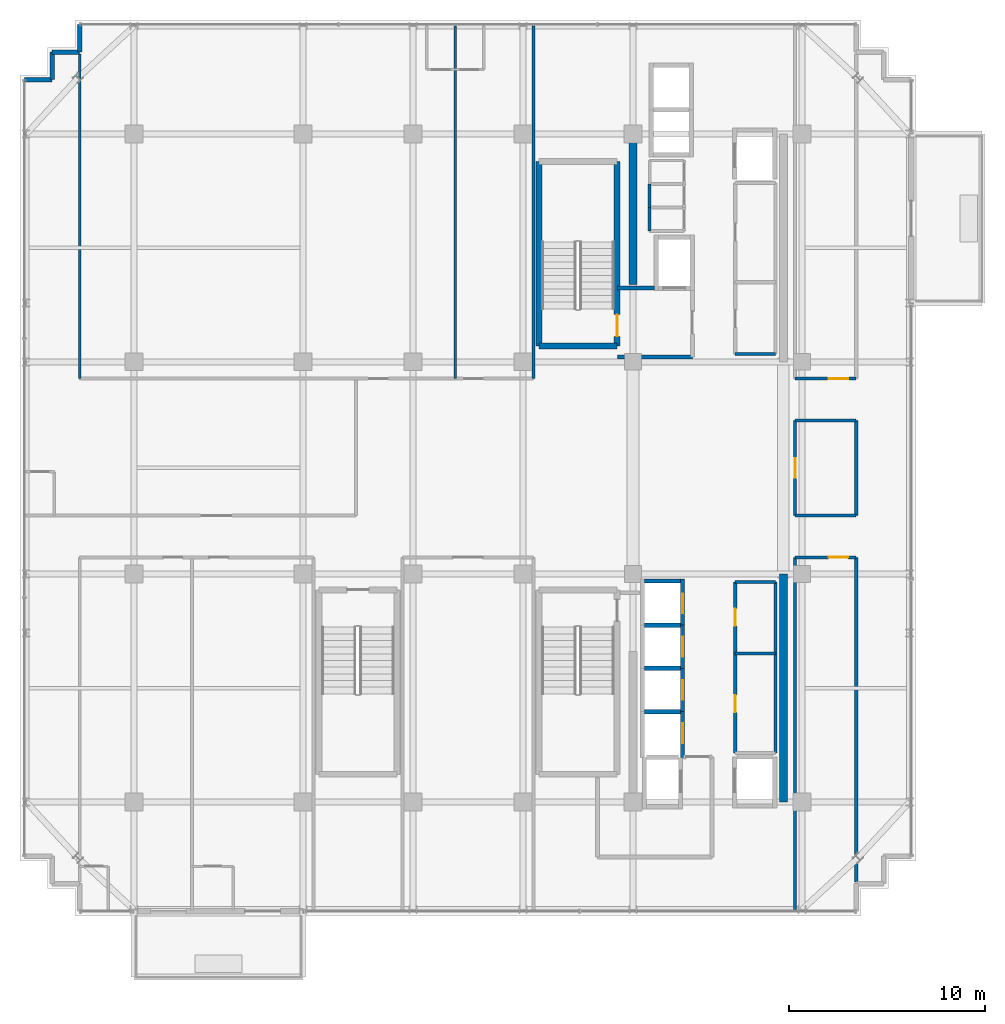
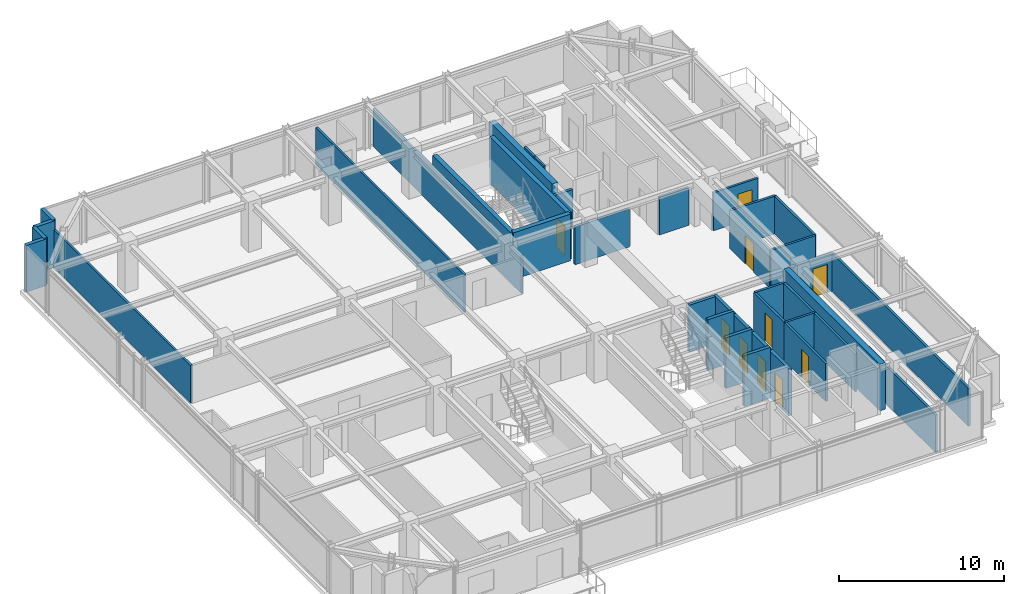
# One storey, part 28 of 33: 39 walls, 10 doors, 10 openings.
"""IFC4 building model written with IfcOpenShell, lengths in metres."""

from ifc_helpers import new_model, si_unit, direction, frame, frame_2d, origin, place, context, subcontext, project, spatial, rectangle, extrude, source, transform, mapped, material, layer, layer_set, type_object, element, fill, save


model = new_model("IFC4")

# Units and contexts
model_context = context("Model", 3, precision=1e-05, world=origin(), true_north=direction((0.0, 1.0)))
body_context = subcontext(model_context, "Body", "Model", "MODEL_VIEW")
ifc_project = project(units=[si_unit("LENGTHUNIT", "METRE"), si_unit("AREAUNIT", "SQUARE_METRE"), si_unit("VOLUMEUNIT", "CUBIC_METRE"), si_unit("PLANEANGLEUNIT", "RADIAN"), si_unit("MASSUNIT", "GRAM", prefix="KILO")], contexts=[model_context])

# Site, building, storey
site_placement = place(None, origin())
site = spatial("IfcSite", under=ifc_project, at=site_placement, CompositionType="ELEMENT")
building_placement = place(site_placement, origin())
building = spatial("IfcBuilding", under=site, at=building_placement, Name="Nahalor Promenade Grand Hotel", CompositionType="ELEMENT")
storey_placement = place(building_placement, frame((0.0, 0.0, 270.050048828125)))
storey = spatial("IfcBuildingStorey", under=building, at=storey_placement, Name="L69", CompositionType="ELEMENT", Elevation=270.050048828125)

# Walls
ifc_material_1 = material(Name="Concrete B-50 (C40/50)", Category="concrete")
ifc_layer_1 = layer(ifc_material_1, 0.39990234375)
ifc_layer_set_1 = layer_set([ifc_layer_1], Name="Concrete B-50 (C40/50)")
wall_type_1 = type_object("IfcWallType", Name="Wall-CoreShear-400", PredefinedType="SHEAR", material=ifc_layer_set_1)
shared_shape_1 = source(origin(), body_context, "Body", "SweptSolid", [
    extrude(rectangle(XDim=7.64990234375, YDim=0.39990234375, at=frame_2d((3.824951171875, 0.0))), origin(), (0.0, 0.0, 1.0), 3.449951171875),
])
wall_1_placement = place(storey_placement, frame((8.39990234375, 9.35009765625, 0.0), z_axis=(0.0, 0.0, 1.0), x_axis=(0.0, 1.0, 0.0)))
element("IfcWall", 1, at=wall_1_placement, inside=storey, type_object=wall_type_1, Name="CWALL-L69-NW", PredefinedType="SHEAR", context=body_context, shape_type="MappedRepresentation", body=[
    mapped(shared_shape_1, transform((0.0, 0.0, 0.0), scale=1.0)),
])
shared_shape_2 = source(origin(), body_context, "Body", "SweptSolid", [
    extrude(rectangle(XDim=11.60009765625, YDim=0.39990234375, at=frame_2d((5.800048828125, 0.0))), origin(), (0.0, 0.0, 1.0), 3.449951171875),
])
wall_2_placement = place(storey_placement, frame((16.050048828125, -17.0, 0.0), z_axis=(0.0, 0.0, 1.0), x_axis=(0.0, 1.0, 0.0)))
element("IfcWall", 2, at=wall_2_placement, inside=storey, type_object=wall_type_1, Name="CWALL-L69-SE", PredefinedType="SHEAR", context=body_context, shape_type="MappedRepresentation", body=[
    mapped(shared_shape_2, transform((0.0, 0.0, 0.0), scale=1.0)),
])
ifc_layer_2 = layer(ifc_material_1, 0.300048828125)
ifc_layer_set_2 = layer_set([ifc_layer_2], Name="Concrete B-50 (C40/50)")
wall_type_2 = type_object("IfcWallType", Name="Wall-ShaftShear-300", PredefinedType="SHEAR", material=ifc_layer_set_2)
shared_shape_3 = source(origin(), body_context, "Body", "SweptSolid", [
    extrude(rectangle(XDim=3.97998046875, YDim=0.300048828125, at=frame_2d((1.989990234375, 0.0))), origin(), (0.0, 0.0, 1.0), 3.449951171875),
])
wall_3_placement = place(storey_placement, frame((3.610107421875, 6.2099609375, 0.0), z_axis=(0.0, 0.0, 1.0), x_axis=(1.0, 0.0, 0.0)))
element("IfcWall", 3, at=wall_3_placement, inside=storey, type_object=wall_type_2, Name="L69 Exit Stair ST1 Shaft Wall S", PredefinedType="SHEAR", context=body_context, shape_type="MappedRepresentation", body=[
    mapped(shared_shape_3, transform((0.0, 0.0, 0.0), scale=1.0)),
])
shared_shape_4 = source(origin(), body_context, "Body", "SweptSolid", [
    extrude(rectangle(XDim=9.380126953125, YDim=0.300048828125, at=frame_2d((4.68994140625, 0.0))), origin(), (0.0, 0.0, 1.0), 3.449951171875),
])
wall_4_placement = place(storey_placement, frame((3.610107421875, 6.2099609375, 0.0), z_axis=(0.0, 0.0, 1.0), x_axis=(0.0, 1.0, 0.0)))
element("IfcWall", 4, at=wall_4_placement, inside=storey, type_object=wall_type_2, Name="L69 Exit Stair ST1 Shaft Wall W", PredefinedType="SHEAR", context=body_context, shape_type="MappedRepresentation", body=[
    mapped(shared_shape_4, transform((0.0, 0.0, 0.0), scale=1.0)),
])

# Wall, opening, door
wall_5_placement = place(storey_placement, frame((7.590087890625, 6.2099609375, 0.0), z_axis=(0.0, 0.0, 1.0), x_axis=(0.0, 1.0, 0.0)))
wall_5 = element("IfcWall", 5, at=wall_5_placement, inside=storey, type_object=wall_type_2, Name="L69 Exit Stair ST1 Shaft Wall E", PredefinedType="SHEAR", context=body_context, shape_type="MappedRepresentation", body=[
    mapped(shared_shape_4, transform((0.0, 0.0, 0.0), scale=1.0)),
])
opening_1_placement = place(wall_5_placement, frame((0.489990234375, 0.0, 0.0)))
opening_1 = element("IfcOpeningElement", 6, at=opening_1_placement, cuts=wall_5, Name="Opening D-ST1", PredefinedType="OPENING", context=body_context, shape_type="SweptSolid", body=[
    extrude(rectangle(XDim=1.10009765625, YDim=2.14990234375, at=frame_2d((0.550048828125, 1.074951171875))), frame((0.0, 0.159912109375, 0.0), z_axis=(0.0, -1.0, 0.0), x_axis=(1.0, 0.0, 0.0)), (0.0, 0.0, 1.0), 0.320068359375),
])
ifc_material_2 = material(Name="Steel S355JR", Category="steel")
door_type_1 = type_object("IfcDoorType", Name="Door-StairFire-1100", OperationType="NOTDEFINED", PredefinedType="DOOR", material=ifc_material_2)
shared_shape_5 = source(origin(), body_context, "Body", "SweptSolid", [
    extrude(rectangle(XDim=1.10009765625, YDim=2.14990234375, at=frame_2d((0.550048828125, 1.074951171875))), frame((0.0, 0.02490234375, 0.0), z_axis=(0.0, -1.0, 0.0), x_axis=(1.0, 0.0, 0.0)), (0.0, 0.0, 1.0), 0.050048828125),
])
door_1_placement = place(opening_1_placement, origin())
door_1 = element("IfcDoor", 7, at=door_1_placement, inside=storey, type_object=door_type_1, Name="DR-STAIR-ST1-L69", OperationType="SINGLE_SWING_RIGHT", OverallHeight=2.14990234375, OverallWidth=1.10009765625, PredefinedType="DOOR", context=body_context, shape_type="MappedRepresentation", body=[
    mapped(shared_shape_5, transform((0.0, 0.0, 0.0), scale=1.0)),
])
fill(opening_1, door_1)

ifc_layer_3 = layer(ifc_material_1, 0.219970703125)
ifc_layer_set_3 = layer_set([ifc_layer_3], Name="Concrete B-50 (C40/50)")
wall_type_3 = type_object("IfcWallType", Name="Wall-LiftShaft-220", PredefinedType="SHEAR", material=ifc_layer_set_3)
shared_shape_6 = source(origin(), body_context, "Body", "SweptSolid", [
    extrude(rectangle(XDim=2.360107421875, YDim=0.219970703125, at=frame_2d((1.18017578125, 0.0))), origin(), (0.0, 0.0, 1.0), 3.449951171875),
])
wall_6_placement = place(storey_placement, frame((10.919921875, -8.0, 0.0), z_axis=(0.0, 0.0, 1.0), x_axis=(0.0, 1.0, 0.0)))
wall_6 = element("IfcWall", 8, at=wall_6_placement, inside=storey, type_object=wall_type_3, Name="L69 Lift PL9 Hoistway Wall E", PredefinedType="SHEAR", context=body_context, shape_type="MappedRepresentation", body=[
    mapped(shared_shape_6, transform((0.0, 0.0, 0.0), scale=1.0)),
])
opening_2_placement = place(wall_6_placement, frame((0.60009765625, 0.0, 0.0)))
opening_2 = element("IfcOpeningElement", 9, at=opening_2_placement, cuts=wall_6, Name="Opening LD-01", PredefinedType="OPENING", context=body_context, shape_type="SweptSolid", body=[
    extrude(rectangle(XDim=1.0, YDim=2.199951171875, at=frame_2d((0.5, 1.10009765625))), frame((0.0, 0.119873046875, 0.0), z_axis=(0.0, -1.0, 0.0), x_axis=(1.0, 0.0, 0.0)), (0.0, 0.0, 1.0), 0.239990234375),
])
door_type_2 = type_object("IfcDoorType", Name="Door-LiftLanding-1000", OperationType="DOUBLE_DOOR_SLIDING", PredefinedType="DOOR", material=ifc_material_2)
shared_shape_7 = source(origin(), body_context, "Body", "SweptSolid", [
    extrude(rectangle(XDim=1.0, YDim=2.199951171875, at=frame_2d((0.5, 1.10009765625))), frame((0.0, 0.02490234375, 0.0), z_axis=(0.0, -1.0, 0.0), x_axis=(1.0, 0.0, 0.0)), (0.0, 0.0, 1.0), 0.050048828125),
])
door_2_placement = place(opening_2_placement, frame((1.0, 0.0, 0.0), z_axis=(0.0, 0.0, 1.0), x_axis=(-1.0, 0.0, 0.0)))
door_2 = element("IfcDoor", 10, at=door_2_placement, inside=storey, type_object=door_type_2, Name="DR-LIFT-PL9-L69", OperationType="DOUBLE_DOOR_SLIDING", OverallHeight=2.199951171875, OverallWidth=1.0, PredefinedType="DOOR", context=body_context, shape_type="MappedRepresentation", body=[
    mapped(shared_shape_7, transform((0.0, 0.0, 0.0), scale=1.0)),
])
fill(opening_2, door_2)

# Wall
shared_shape_8 = source(origin(), body_context, "Body", "SweptSolid", [
    extrude(rectangle(XDim=1.820068359375, YDim=0.219970703125, at=frame_2d((0.91015625, 0.0))), origin(), (0.0, 0.0, 1.0), 3.449951171875),
])
wall_7_placement = place(storey_placement, frame((8.989990234375, -5.75, 0.0), z_axis=(0.0, 0.0, 1.0), x_axis=(1.0, 0.0, 0.0)))
element("IfcWall", 11, at=wall_7_placement, inside=storey, type_object=wall_type_3, Name="L69 Lift PL9 Hoistway Wall N", PredefinedType="SHEAR", context=body_context, shape_type="MappedRepresentation", body=[
    mapped(shared_shape_8, transform((0.0, 0.0, 0.0), scale=1.0)),
])

# Wall, opening, door
shared_shape_9 = source(origin(), body_context, "Body", "SweptSolid", [
    extrude(rectangle(XDim=2.199951171875, YDim=0.219970703125, at=frame_2d((1.10009765625, 0.0))), origin(), (0.0, 0.0, 1.0), 3.449951171875),
])
wall_8_placement = place(storey_placement, frame((10.919921875, -10.199951171875, 0.0), z_axis=(0.0, 0.0, 1.0), x_axis=(0.0, 1.0, 0.0)))
wall_8 = element("IfcWall", 12, at=wall_8_placement, inside=storey, type_object=wall_type_3, Name="L69 Lift PL10 Hoistway Wall E", PredefinedType="SHEAR", context=body_context, shape_type="MappedRepresentation", body=[
    mapped(shared_shape_9, transform((0.0, 0.0, 0.0), scale=1.0)),
])
opening_3_placement = place(wall_8_placement, frame((0.60009765625, 0.0, 0.0)))
opening_3 = element("IfcOpeningElement", 13, at=opening_3_placement, cuts=wall_8, Name="Opening LD-01", PredefinedType="OPENING", context=body_context, shape_type="SweptSolid", body=[
    extrude(rectangle(XDim=1.0, YDim=2.199951171875, at=frame_2d((0.5, 1.10009765625))), frame((0.0, 0.119873046875, 0.0), z_axis=(0.0, -1.0, 0.0), x_axis=(1.0, 0.0, 0.0)), (0.0, 0.0, 1.0), 0.239990234375),
])
door_3_placement = place(opening_3_placement, frame((1.0, 0.0, 0.0), z_axis=(0.0, 0.0, 1.0), x_axis=(-1.0, 0.0, 0.0)))
door_3 = element("IfcDoor", 14, at=door_3_placement, inside=storey, type_object=door_type_2, Name="DR-LIFT-PL10-L69", OperationType="DOUBLE_DOOR_SLIDING", OverallHeight=2.199951171875, OverallWidth=1.0, PredefinedType="DOOR", context=body_context, shape_type="MappedRepresentation", body=[
    mapped(shared_shape_7, transform((0.0, 0.0, 0.0), scale=1.0)),
])
fill(opening_3, door_3)

wall_9_placement = place(storey_placement, frame((10.919921875, -12.39990234375, 0.0), z_axis=(0.0, 0.0, 1.0), x_axis=(0.0, 1.0, 0.0)))
wall_9 = element("IfcWall", 15, at=wall_9_placement, inside=storey, type_object=wall_type_3, Name="L69 Lift PL11 Hoistway Wall E", PredefinedType="SHEAR", context=body_context, shape_type="MappedRepresentation", body=[
    mapped(shared_shape_9, transform((0.0, 0.0, 0.0), scale=1.0)),
])
opening_4_placement = place(wall_9_placement, frame((0.60009765625, 0.0, 0.0)))
opening_4 = element("IfcOpeningElement", 16, at=opening_4_placement, cuts=wall_9, Name="Opening LD-01", PredefinedType="OPENING", context=body_context, shape_type="SweptSolid", body=[
    extrude(rectangle(XDim=1.0, YDim=2.199951171875, at=frame_2d((0.5, 1.10009765625))), frame((0.0, 0.119873046875, 0.0), z_axis=(0.0, -1.0, 0.0), x_axis=(1.0, 0.0, 0.0)), (0.0, 0.0, 1.0), 0.239990234375),
])
door_4_placement = place(opening_4_placement, frame((1.0, 0.0, 0.0), z_axis=(0.0, 0.0, 1.0), x_axis=(-1.0, 0.0, 0.0)))
door_4 = element("IfcDoor", 17, at=door_4_placement, inside=storey, type_object=door_type_2, Name="DR-LIFT-PL11-L69", OperationType="DOUBLE_DOOR_SLIDING", OverallHeight=2.199951171875, OverallWidth=1.0, PredefinedType="DOOR", context=body_context, shape_type="MappedRepresentation", body=[
    mapped(shared_shape_7, transform((0.0, 0.0, 0.0), scale=1.0)),
])
fill(opening_4, door_4)

# Walls
shared_shape_10 = source(origin(), body_context, "Body", "SweptSolid", [
    extrude(rectangle(XDim=1.820068359375, YDim=0.219970703125, at=frame_2d((0.91015625, 0.0))), origin(), (0.0, 0.0, 1.0), 3.75),
])
for number, where, z_axis, x_axis, name in (
    (18, (8.989990234375, -8.0, 0.0), (0.0, 0.0, 1.0), (1.0, 0.0, 0.0), "L69 Lift PL10 Hoistway Wall N"),
    (19, (8.989990234375, -10.199951171875, 0.0), (0.0, 0.0, 1.0), (1.0, 0.0, 0.0), "L69 Lift PL11 Hoistway Wall N"),
    (20, (8.989990234375, -12.39990234375, 0.0), (0.0, 0.0, 1.0), (1.0, 0.0, 0.0), "L69 Lift PL12 Hoistway Wall N"),
):
    element("IfcWall", number, at=place(storey_placement, frame(where, z_axis=z_axis, x_axis=x_axis)), inside=storey, type_object=wall_type_3, Name=name, PredefinedType="SHEAR", context=body_context, shape_type="MappedRepresentation", body=[
        mapped(shared_shape_10, transform((0.0, 0.0, 0.0), scale=1.0)),
    ])

# Wall, opening, door
shared_shape_11 = source(origin(), body_context, "Body", "SweptSolid", [
    extrude(rectangle(XDim=2.3251953125, YDim=0.219970703125, at=frame_2d((1.16259765625, 0.0))), origin(), (0.0, 0.0, 1.0), 3.449951171875),
])
wall_10_placement = place(storey_placement, frame((10.919921875, -14.72509765625, 0.0), z_axis=(0.0, 0.0, 1.0), x_axis=(0.0, 1.0, 0.0)))
wall_10 = element("IfcWall", 21, at=wall_10_placement, inside=storey, type_object=wall_type_3, Name="L69 Lift PL12 Hoistway Wall E", PredefinedType="SHEAR", context=body_context, shape_type="MappedRepresentation", body=[
    mapped(shared_shape_11, transform((0.0, 0.0, 0.0), scale=1.0)),
])
opening_5_placement = place(wall_10_placement, frame((0.72509765625, 0.0, 0.0)))
opening_5 = element("IfcOpeningElement", 22, at=opening_5_placement, cuts=wall_10, Name="Opening LD-01", PredefinedType="OPENING", context=body_context, shape_type="SweptSolid", body=[
    extrude(rectangle(XDim=1.0, YDim=2.199951171875, at=frame_2d((0.5, 1.10009765625))), frame((0.0, 0.119873046875, 0.0), z_axis=(0.0, -1.0, 0.0), x_axis=(1.0, 0.0, 0.0)), (0.0, 0.0, 1.0), 0.239990234375),
])
door_5_placement = place(opening_5_placement, frame((1.0, 0.0, 0.0), z_axis=(0.0, 0.0, 1.0), x_axis=(-1.0, 0.0, 0.0)))
door_5 = element("IfcDoor", 23, at=door_5_placement, inside=storey, type_object=door_type_2, Name="DR-LIFT-PL12-L69", OperationType="DOUBLE_DOOR_SLIDING", OverallHeight=2.199951171875, OverallWidth=1.0, PredefinedType="DOOR", context=body_context, shape_type="MappedRepresentation", body=[
    mapped(shared_shape_7, transform((0.0, 0.0, 0.0), scale=1.0)),
])
fill(opening_5, door_5)

# Walls
ifc_material_3 = material(Name="Concrete B-40 (C32/40)", Category="concrete")
ifc_layer_4 = layer(ifc_material_3, 0.25)
ifc_layer_set_4 = layer_set([ifc_layer_4], Name="Concrete B-40 (C32/40)")
wall_type_4 = type_object("IfcWallType", Name="Wall-BronzePier-250", PredefinedType="STANDARD", material=ifc_layer_set_4)
shared_shape_12 = source(origin(), body_context, "Body", "SweptSolid", [
    extrude(rectangle(XDim=1.400146484375, YDim=0.25, at=frame_2d((0.7001953125, 0.0))), origin(), (0.0, 0.0, 1.0), 3.449951171875),
])
for number, where, z_axis, x_axis, name in (
    (24, (-19.760009765625, 21.159912109375, 0.0), (0.0, 0.0, 1.0), (0.0, 1.0, 0.0), "W-L69-SR-09"),
    (25, (-22.56005859375, 19.760009765625, 0.0), (0.0, 0.0, 1.0), (1.0, 0.0, 0.0), "W-L69-SR-12"),
):
    element("IfcWall", number, at=place(storey_placement, frame(where, z_axis=z_axis, x_axis=x_axis)), inside=storey, type_object=wall_type_4, Name=name, PredefinedType="STANDARD", context=body_context, shape_type="MappedRepresentation", body=[
        mapped(shared_shape_12, transform((0.0, 0.0, 0.0), scale=1.0)),
    ])
shared_shape_13 = source(origin(), body_context, "Body", "SweptSolid", [
    extrude(rectangle(XDim=1.39990234375, YDim=0.25, at=frame_2d((0.699951171875, 0.0))), origin(), (0.0, 0.0, 1.0), 3.449951171875),
])
for number, where, z_axis, x_axis, name in (
    (26, (-21.159912109375, 21.159912109375, 0.0), (0.0, 0.0, 1.0), (1.0, 0.0, 0.0), "W-L69-SR-10"),
    (27, (-21.159912109375, 19.760009765625, 0.0), (0.0, 0.0, 1.0), (0.0, 1.0, 0.0), "W-L69-SR-11"),
):
    element("IfcWall", number, at=place(storey_placement, frame(where, z_axis=z_axis, x_axis=x_axis)), inside=storey, type_object=wall_type_4, Name=name, PredefinedType="STANDARD", context=body_context, shape_type="MappedRepresentation", body=[
        mapped(shared_shape_13, transform((0.0, 0.0, 0.0), scale=1.0)),
    ])
ifc_layer_5 = layer(ifc_material_3, 0.199951171875)
ifc_layer_set_5 = layer_set([ifc_layer_5], Name="Concrete B-40 (C32/40)")
wall_type_5 = type_object("IfcWallType", Name="Wall-PartFire-200", PredefinedType="PARTITIONING", material=ifc_layer_set_5)
shared_shape_14 = source(origin(), body_context, "Body", "SweptSolid", [
    extrude(rectangle(XDim=3.81982421875, YDim=0.199951171875, at=frame_2d((1.909912109375, 0.0))), origin(), (0.0, 0.0, 1.0), 2.7900390625),
])
wall_11_placement = place(storey_placement, frame((7.60009765625, 5.64990234375, 0.0), z_axis=(0.0, 0.0, 1.0), x_axis=(1.0, 0.0, 0.0)))
element("IfcWall", 28, at=wall_11_placement, inside=storey, type_object=wall_type_5, Name="W-L69-FF1-S", PredefinedType="PARTITIONING", context=body_context, shape_type="MappedRepresentation", body=[
    mapped(shared_shape_14, transform((0.0, 0.0, 0.0), scale=1.0)),
])
shared_shape_15 = source(origin(), body_context, "Body", "SweptSolid", [
    extrude(rectangle(XDim=1.89990234375, YDim=0.199951171875, at=frame_2d((0.949951171875, 0.0))), origin(), (0.0, 0.0, 1.0), 2.7900390625),
])
wall_12_placement = place(storey_placement, frame((7.60009765625, 9.14990234375, 0.0), z_axis=(0.0, 0.0, 1.0), x_axis=(1.0, 0.0, 0.0)))
element("IfcWall", 29, at=wall_12_placement, inside=storey, type_object=wall_type_5, Name="W-L69-FF1-N", PredefinedType="PARTITIONING", context=body_context, shape_type="MappedRepresentation", body=[
    mapped(shared_shape_15, transform((0.0, 0.0, 0.0), scale=1.0)),
])
ifc_material_4 = material(Name="Acoustic Mineral Gypsum", Category="gypsum")
ifc_layer_6 = layer(ifc_material_4, 0.159912109375)
ifc_layer_set_6 = layer_set([ifc_layer_6], Name="Acoustic Mineral Gypsum")
wall_type_6 = type_object("IfcWallType", Name="Wall-PartCorridor-160", PredefinedType="PARTITIONING", material=ifc_layer_set_6)
shared_shape_16 = source(origin(), body_context, "Body", "SweptSolid", [
    extrude(rectangle(XDim=2.0498046875, YDim=0.159912109375, at=frame_2d((1.02490234375, 0.0))), origin(), (0.0, 0.0, 1.0), 2.7900390625),
])
for number, where, z_axis, x_axis, name in (
    (30, (13.60009765625, 5.800048828125, 0.0), (0.0, 0.0, 1.0), (1.0, 0.0, 0.0), "W-L69-FRB1A-S"),
    (31, (13.60009765625, -9.449951171875, 0.0), (0.0, 0.0, 1.0), (1.0, 0.0, 0.0), "W-L69-FRB2A-N"),
    (32, (13.60009765625, -5.800048828125, 0.0), (0.0, 0.0, 1.0), (1.0, 0.0, 0.0), "W-L69-FRB2B-N"),
):
    element("IfcWall", number, at=place(storey_placement, frame(where, z_axis=z_axis, x_axis=x_axis)), inside=storey, type_object=wall_type_6, Name=name, PredefinedType="PARTITIONING", context=body_context, shape_type="MappedRepresentation", body=[
        mapped(shared_shape_16, transform((0.0, 0.0, 0.0), scale=1.0)),
    ])

# Wall, opening, door
shared_shape_17 = source(origin(), body_context, "Body", "SweptSolid", [
    extrude(rectangle(XDim=3.110107421875, YDim=0.159912109375, at=frame_2d((1.55517578125, 0.0))), origin(), (0.0, 0.0, 1.0), 2.7900390625),
])
wall_13_placement = place(storey_placement, frame((16.64990234375, 4.550048828125, 0.0), z_axis=(0.0, 0.0, 1.0), x_axis=(1.0, 0.0, 0.0)))
wall_13 = element("IfcWall", 33, at=wall_13_placement, inside=storey, type_object=wall_type_6, Name="W-L69-ENE-S", PredefinedType="PARTITIONING", context=body_context, shape_type="MappedRepresentation", body=[
    mapped(shared_shape_17, transform((0.0, 0.0, 0.0), scale=1.0)),
])
opening_6_placement = place(wall_13_placement, frame((1.700927734375, 0.0, 0.0)))
opening_6 = element("IfcOpeningElement", 34, at=opening_6_placement, cuts=wall_13, Name="Opening D-04", PredefinedType="OPENING", context=body_context, shape_type="SweptSolid", body=[
    extrude(rectangle(XDim=1.0, YDim=2.10009765625, at=frame_2d((0.5, 1.050048828125))), frame((0.0, 0.08984375, 0.0), z_axis=(0.0, -1.0, 0.0), x_axis=(1.0, 0.0, 0.0)), (0.0, 0.0, 1.0), 0.179931640625),
])
door_type_3 = type_object("IfcDoorType", Name="Door-ServiceFire-1000", OperationType="NOTDEFINED", PredefinedType="DOOR", material=ifc_material_2)
shared_shape_18 = source(origin(), body_context, "Body", "SweptSolid", [
    extrude(rectangle(XDim=1.0, YDim=2.10009765625, at=frame_2d((0.5, 1.050048828125))), frame((0.0, 0.02490234375, 0.0), z_axis=(0.0, -1.0, 0.0), x_axis=(1.0, 0.0, 0.0)), (0.0, 0.0, 1.0), 0.050048828125),
])
door_6_placement = place(opening_6_placement, origin())
door_6 = element("IfcDoor", 35, at=door_6_placement, inside=storey, type_object=door_type_3, Name="DR-L69-ENE", OperationType="SINGLE_SWING_LEFT", OverallHeight=2.10009765625, OverallWidth=1.0, PredefinedType="DOOR", context=body_context, shape_type="MappedRepresentation", body=[
    mapped(shared_shape_18, transform((0.0, 0.0, 0.0), scale=1.0)),
])
fill(opening_6, door_6)

wall_14_placement = place(storey_placement, frame((16.64990234375, -4.550048828125, 0.0), z_axis=(0.0, 0.0, 1.0), x_axis=(1.0, 0.0, 0.0)))
wall_14 = element("IfcWall", 36, at=wall_14_placement, inside=storey, type_object=wall_type_6, Name="W-L69-ESE-N", PredefinedType="PARTITIONING", context=body_context, shape_type="MappedRepresentation", body=[
    mapped(shared_shape_17, transform((0.0, 0.0, 0.0), scale=1.0)),
])
opening_7_placement = place(wall_14_placement, frame((1.700927734375, 0.0, 0.0)))
opening_7 = element("IfcOpeningElement", 37, at=opening_7_placement, cuts=wall_14, Name="Opening D-04", PredefinedType="OPENING", context=body_context, shape_type="SweptSolid", body=[
    extrude(rectangle(XDim=1.0, YDim=2.10009765625, at=frame_2d((0.5, 1.050048828125))), frame((0.0, 0.08984375, 0.0), z_axis=(0.0, -1.0, 0.0), x_axis=(1.0, 0.0, 0.0)), (0.0, 0.0, 1.0), 0.179931640625),
])
door_7_placement = place(opening_7_placement, frame((1.0, 0.0, 0.0), z_axis=(0.0, 0.0, 1.0), x_axis=(-1.0, 0.0, 0.0)))
door_7 = element("IfcDoor", 38, at=door_7_placement, inside=storey, type_object=door_type_3, Name="DR-L69-ESE", OperationType="SINGLE_SWING_RIGHT", OverallHeight=2.10009765625, OverallWidth=1.0, PredefinedType="DOOR", context=body_context, shape_type="MappedRepresentation", body=[
    mapped(shared_shape_18, transform((0.0, 0.0, 0.0), scale=1.0)),
])
fill(opening_7, door_7)

# Walls
for number, where, z_axis, x_axis, name in (
    (39, (16.64990234375, -2.419921875, 0.0), (0.0, 0.0, 1.0), (1.0, 0.0, 0.0), "W-L69-ECW-S"),
    (40, (16.64990234375, 2.419921875, 0.0), (0.0, 0.0, 1.0), (1.0, 0.0, 0.0), "W-L69-ECW-N"),
):
    element("IfcWall", number, at=place(storey_placement, frame(where, z_axis=z_axis, x_axis=x_axis)), inside=storey, type_object=wall_type_6, Name=name, PredefinedType="PARTITIONING", context=body_context, shape_type="MappedRepresentation", body=[
        mapped(shared_shape_17, transform((0.0, 0.0, 0.0), scale=1.0)),
    ])
shared_shape_19 = source(origin(), body_context, "Body", "SweptSolid", [
    extrude(rectangle(XDim=17.949951171875, YDim=0.159912109375, at=frame_2d((8.97509765625, 0.0))), origin(), (0.0, 0.0, 1.0), 2.7900390625),
])
wall_15_placement = place(storey_placement, frame((16.64990234375, -22.5, 0.0), z_axis=(0.0, 0.0, 1.0), x_axis=(0.0, 1.0, 0.0)))
element("IfcWall", 41, at=wall_15_placement, inside=storey, type_object=wall_type_6, Name="W-L69-ESE-W", PredefinedType="PARTITIONING", context=body_context, shape_type="MappedRepresentation", body=[
    mapped(shared_shape_19, transform((0.0, 0.0, 0.0), scale=1.0)),
])
shared_shape_20 = source(origin(), body_context, "Body", "SweptSolid", [
    extrude(rectangle(XDim=16.530029296875, YDim=0.159912109375, at=frame_2d((8.26513671875, 0.0))), origin(), (0.0, 0.0, 1.0), 2.7900390625),
])
wall_16_placement = place(storey_placement, frame((19.760009765625, -21.080078125, 0.0), z_axis=(0.0, 0.0, 1.0), x_axis=(0.0, 1.0, 0.0)))
element("IfcWall", 42, at=wall_16_placement, inside=storey, type_object=wall_type_6, Name="W-L69-ESE-E", PredefinedType="PARTITIONING", context=body_context, shape_type="MappedRepresentation", body=[
    mapped(shared_shape_20, transform((0.0, 0.0, 0.0), scale=1.0)),
])
ifc_layer_7 = layer(ifc_material_4, 0.139892578125)
ifc_layer_set_7 = layer_set([ifc_layer_7], Name="Acoustic Mineral Gypsum")
wall_type_7 = type_object("IfcWallType", Name="Wall-PartSuite-140", PredefinedType="PARTITIONING", material=ifc_layer_set_7)
shared_shape_21 = source(origin(), body_context, "Body", "SweptSolid", [
    extrude(rectangle(XDim=16.530029296875, YDim=0.139892578125, at=frame_2d((8.26513671875, 0.0))), origin(), (0.0, 0.0, 1.0), 2.7900390625),
])
wall_17_placement = place(storey_placement, frame((-19.760009765625, 4.550048828125, 0.0), z_axis=(0.0, 0.0, 1.0), x_axis=(0.0, 1.0, 0.0)))
element("IfcWall", 43, at=wall_17_placement, inside=storey, type_object=wall_type_7, Name="W-L69-NW-ENDW", PredefinedType="PARTITIONING", context=body_context, shape_type="MappedRepresentation", body=[
    mapped(shared_shape_21, transform((0.0, 0.0, 0.0), scale=1.0)),
])
shared_shape_22 = source(origin(), body_context, "Body", "SweptSolid", [
    extrude(rectangle(XDim=17.949951171875, YDim=0.139892578125, at=frame_2d((8.97509765625, 0.0))), origin(), (0.0, 0.0, 1.0), 2.7900390625),
])
for number, where, z_axis, x_axis, name in (
    (44, (3.340087890625, 4.550048828125, 0.0), (0.0, 0.0, 1.0), (0.0, 1.0, 0.0), "W-L69-NW-ENDE"),
    (45, (-0.64404296875, 4.550048828125, 0.0), (0.0, 0.0, 1.0), (0.0, 1.0, 0.0), "W-L69-NP-1"),
):
    element("IfcWall", number, at=place(storey_placement, frame(where, z_axis=z_axis, x_axis=x_axis)), inside=storey, type_object=wall_type_7, Name=name, PredefinedType="PARTITIONING", context=body_context, shape_type="MappedRepresentation", body=[
        mapped(shared_shape_22, transform((0.0, 0.0, 0.0), scale=1.0)),
    ])

# Wall, opening, door
shared_shape_23 = source(origin(), body_context, "Body", "SweptSolid", [
    extrude(rectangle(XDim=4.83984375, YDim=0.159912109375, at=frame_2d((2.419921875, 0.0))), origin(), (0.0, 0.0, 1.0), 2.7900390625),
])
wall_18_placement = place(storey_placement, frame((16.64990234375, -2.419921875, 0.0), z_axis=(0.0, 0.0, 1.0), x_axis=(0.0, 1.0, 0.0)))
wall_18 = element("IfcWall", 46, at=wall_18_placement, inside=storey, type_object=wall_type_6, Name="W-L69-ECW-W", PredefinedType="PARTITIONING", context=body_context, shape_type="MappedRepresentation", body=[
    mapped(shared_shape_23, transform((0.0, 0.0, 0.0), scale=1.0)),
])
opening_8_placement = place(wall_18_placement, frame((1.919921875, 0.0, 0.0)))
opening_8 = element("IfcOpeningElement", 47, at=opening_8_placement, cuts=wall_18, Name="Opening D-04", PredefinedType="OPENING", context=body_context, shape_type="SweptSolid", body=[
    extrude(rectangle(XDim=1.0, YDim=2.10009765625, at=frame_2d((0.5, 1.050048828125))), frame((0.0, 0.08984375, 0.0), z_axis=(0.0, -1.0, 0.0), x_axis=(1.0, 0.0, 0.0)), (0.0, 0.0, 1.0), 0.179931640625),
])
door_8_placement = place(opening_8_placement, frame((1.0, 0.0, 0.0), z_axis=(0.0, 0.0, 1.0), x_axis=(-1.0, 0.0, 0.0)))
door_8 = element("IfcDoor", 48, at=door_8_placement, inside=storey, type_object=door_type_3, Name="DR-L69-ECW", OperationType="SINGLE_SWING_RIGHT", OverallHeight=2.10009765625, OverallWidth=1.0, PredefinedType="DOOR", context=body_context, shape_type="MappedRepresentation", body=[
    mapped(shared_shape_18, transform((0.0, 0.0, 0.0), scale=1.0)),
])
fill(opening_8, door_8)

# Walls
wall_19_placement = place(storey_placement, frame((19.760009765625, -2.419921875, 0.0), z_axis=(0.0, 0.0, 1.0), x_axis=(0.0, 1.0, 0.0)))
element("IfcWall", 49, at=wall_19_placement, inside=storey, type_object=wall_type_6, Name="W-L69-ECW-E", PredefinedType="PARTITIONING", context=body_context, shape_type="MappedRepresentation", body=[
    mapped(shared_shape_23, transform((0.0, 0.0, 0.0), scale=1.0)),
])
ifc_layer_8 = layer(ifc_material_4, 0.14990234375)
ifc_layer_set_8 = layer_set([ifc_layer_8], Name="Acoustic Mineral Gypsum")
wall_type_8 = type_object("IfcWallType", Name="Wall-PartService-150", PredefinedType="PARTITIONING", material=ifc_layer_set_8)
shared_shape_24 = source(origin(), body_context, "Body", "SweptSolid", [
    extrude(rectangle(XDim=1.199951171875, YDim=0.14990234375, at=frame_2d((0.60009765625, 0.0))), origin(), (0.0, 0.0, 1.0), 2.7900390625),
])
for number, where, z_axis, x_axis, name in (
    (50, (9.25, 12.050048828125, 0.0), (0.0, 0.0, 1.0), (0.0, 1.0, 0.0), "W-L69-CK3A-W"),
    (51, (9.25, 13.25, 0.0), (0.0, 0.0, 1.0), (0.0, 1.0, 0.0), "W-L69-CK3B-W"),
):
    element("IfcWall", number, at=place(storey_placement, frame(where, z_axis=z_axis, x_axis=x_axis)), inside=storey, type_object=wall_type_8, Name=name, PredefinedType="PARTITIONING", context=body_context, shape_type="MappedRepresentation", body=[
        mapped(shared_shape_24, transform((0.0, 0.0, 0.0), scale=1.0)),
    ])

# Wall, opening, door
shared_shape_25 = source(origin(), body_context, "Body", "SweptSolid", [
    extrude(rectangle(XDim=3.64990234375, YDim=0.159912109375, at=frame_2d((1.824951171875, 0.0))), origin(), (0.0, 0.0, 1.0), 2.7900390625),
])
wall_20_placement = place(storey_placement, frame((13.60009765625, -9.449951171875, 0.0), z_axis=(0.0, 0.0, 1.0), x_axis=(0.0, 1.0, 0.0)))
wall_20 = element("IfcWall", 52, at=wall_20_placement, inside=storey, type_object=wall_type_6, Name="W-L69-FRB2B-W", PredefinedType="PARTITIONING", context=body_context, shape_type="MappedRepresentation", body=[
    mapped(shared_shape_25, transform((0.0, 0.0, 0.0), scale=1.0)),
])
opening_9_placement = place(wall_20_placement, frame((1.409912109375, 0.0, 0.0)))
opening_9 = element("IfcOpeningElement", 53, at=opening_9_placement, cuts=wall_20, Name="Opening D-03", PredefinedType="OPENING", context=body_context, shape_type="SweptSolid", body=[
    extrude(rectangle(XDim=0.8798828125, YDim=2.10009765625, at=frame_2d((0.43994140625, 1.050048828125))), frame((0.0, 0.08984375, 0.0), z_axis=(0.0, -1.0, 0.0), x_axis=(1.0, 0.0, 0.0)), (0.0, 0.0, 1.0), 0.179931640625),
])
ifc_material_5 = material(Name="Fire-Rated Timber Composite", Category="wood")
door_type_4 = type_object("IfcDoorType", Name="Door-BathSwing-880", OperationType="NOTDEFINED", PredefinedType="DOOR", material=ifc_material_5)
shared_shape_26 = source(origin(), body_context, "Body", "SweptSolid", [
    extrude(rectangle(XDim=0.8798828125, YDim=2.10009765625, at=frame_2d((0.43994140625, 1.050048828125))), frame((0.0, 0.02490234375, 0.0), z_axis=(0.0, -1.0, 0.0), x_axis=(1.0, 0.0, 0.0)), (0.0, 0.0, 1.0), 0.050048828125),
])
door_9_placement = place(opening_9_placement, frame((0.8798828125, 0.0, 0.0), z_axis=(0.0, 0.0, 1.0), x_axis=(-1.0, 0.0, 0.0)))
door_9 = element("IfcDoor", 54, at=door_9_placement, inside=storey, type_object=door_type_4, Name="DR-L69-FRB2B", OperationType="SINGLE_SWING_RIGHT", OverallHeight=2.10009765625, OverallWidth=0.8798828125, PredefinedType="DOOR", context=body_context, shape_type="MappedRepresentation", body=[
    mapped(shared_shape_26, transform((0.0, 0.0, 0.0), scale=1.0)),
])
fill(opening_9, door_9)

# Wall
wall_21_placement = place(storey_placement, frame((15.64990234375, -9.449951171875, 0.0), z_axis=(0.0, 0.0, 1.0), x_axis=(0.0, 1.0, 0.0)))
element("IfcWall", 55, at=wall_21_placement, inside=storey, type_object=wall_type_6, Name="W-L69-FRB2B-E", PredefinedType="PARTITIONING", context=body_context, shape_type="MappedRepresentation", body=[
    mapped(shared_shape_25, transform((0.0, 0.0, 0.0), scale=1.0)),
])

# Wall, opening, door
shared_shape_27 = source(origin(), body_context, "Body", "SweptSolid", [
    extrude(rectangle(XDim=5.050048828125, YDim=0.159912109375, at=frame_2d((2.52490234375, 0.0))), origin(), (0.0, 0.0, 1.0), 2.7900390625),
])
wall_22_placement = place(storey_placement, frame((13.60009765625, -14.5, 0.0), z_axis=(0.0, 0.0, 1.0), x_axis=(0.0, 1.0, 0.0)))
wall_22 = element("IfcWall", 56, at=wall_22_placement, inside=storey, type_object=wall_type_6, Name="W-L69-FRB2A-W", PredefinedType="PARTITIONING", context=body_context, shape_type="MappedRepresentation", body=[
    mapped(shared_shape_27, transform((0.0, 0.0, 0.0), scale=1.0)),
])
opening_10_placement = place(wall_22_placement, frame((2.06005859375, 0.0, 0.0)))
opening_10 = element("IfcOpeningElement", 57, at=opening_10_placement, cuts=wall_22, Name="Opening D-03", PredefinedType="OPENING", context=body_context, shape_type="SweptSolid", body=[
    extrude(rectangle(XDim=0.8798828125, YDim=2.10009765625, at=frame_2d((0.43994140625, 1.050048828125))), frame((0.0, 0.08984375, 0.0), z_axis=(0.0, -1.0, 0.0), x_axis=(1.0, 0.0, 0.0)), (0.0, 0.0, 1.0), 0.179931640625),
])
door_10_placement = place(opening_10_placement, frame((0.8798828125, 0.0, 0.0), z_axis=(0.0, 0.0, 1.0), x_axis=(-1.0, 0.0, 0.0)))
door_10 = element("IfcDoor", 58, at=door_10_placement, inside=storey, type_object=door_type_4, Name="DR-L69-FRB2A", OperationType="SINGLE_SWING_LEFT", OverallHeight=2.10009765625, OverallWidth=0.8798828125, PredefinedType="DOOR", context=body_context, shape_type="MappedRepresentation", body=[
    mapped(shared_shape_26, transform((0.0, 0.0, 0.0), scale=1.0)),
])
fill(opening_10, door_10)

# Wall
wall_23_placement = place(storey_placement, frame((15.64990234375, -14.5, 0.0), z_axis=(0.0, 0.0, 1.0), x_axis=(0.0, 1.0, 0.0)))
element("IfcWall", 59, at=wall_23_placement, inside=storey, type_object=wall_type_6, Name="W-L69-FRB2A-E", PredefinedType="PARTITIONING", context=body_context, shape_type="MappedRepresentation", body=[
    mapped(shared_shape_27, transform((0.0, 0.0, 0.0), scale=1.0)),
])

save(model, "model.ifc")
